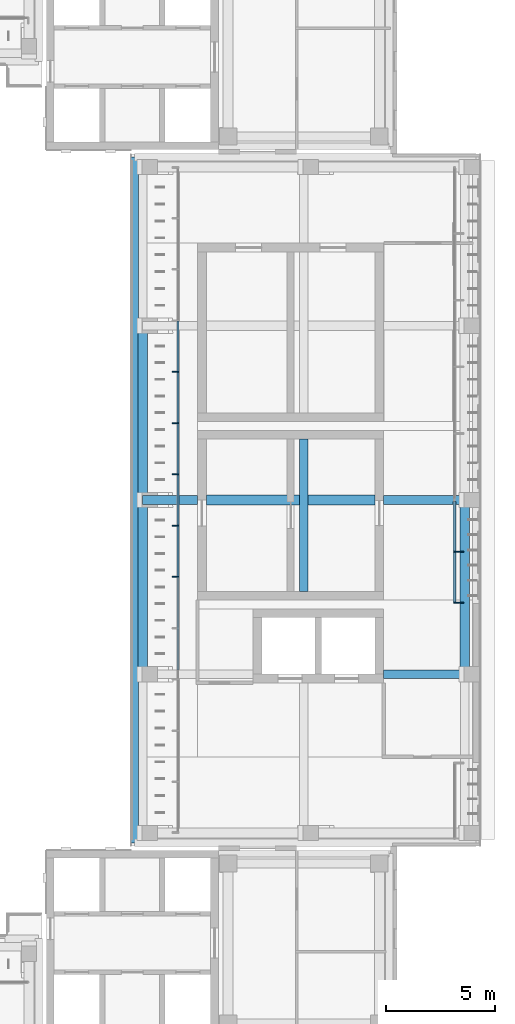
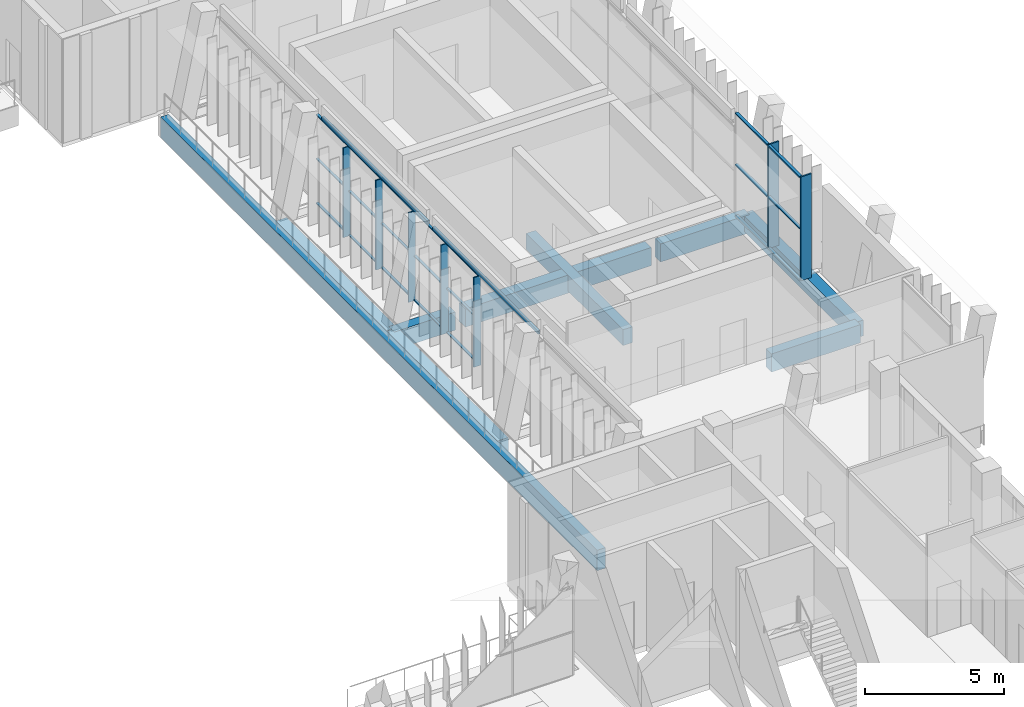
# One storey, part 31 of 74: 28 members, 11 beams, 2 elements without a shape of their own.
"""IFC4 building model written with IfcOpenShell, lengths in metres."""

from ifc_helpers import new_model, si_unit, direction, frame, origin, origin_2d, place, context, subcontext, project, spatial, rectangle, hollow_rectangle, extrude, material, material_profile, profile_set, type_object, element, aggregate, save


model = new_model("IFC4")

# Units and contexts
model_context = context("Model", 3, precision=1e-05, world=origin(), true_north=direction((0.0, 1.0)))
body_context = subcontext(model_context, "Body", "Model", "MODEL_VIEW")
ifc_project = project(units=[si_unit("LENGTHUNIT", "METRE"), si_unit("AREAUNIT", "SQUARE_METRE"), si_unit("VOLUMEUNIT", "CUBIC_METRE"), si_unit("PLANEANGLEUNIT", "RADIAN"), si_unit("MASSUNIT", "GRAM", prefix="KILO")], contexts=[model_context])

# Site, building, storey
site_placement = place(None, origin())
site = spatial("IfcSite", under=ifc_project, at=site_placement, CompositionType="ELEMENT")
building_placement = place(site_placement, origin())
building = spatial("IfcBuilding", under=site, at=building_placement, Name="Lantern Court Media Centre", CompositionType="ELEMENT")
storey_placement = place(building_placement, frame((0.0, 0.0, 19.199951171875)))
storey = spatial("IfcBuildingStorey", under=building, at=storey_placement, Name="L04", CompositionType="ELEMENT", Elevation=19.199951171875)

# Curtain wall, members
ifc_material_1 = material(Name="Curtain wall bay 2400")
curtain_wall_type_1 = type_object("IfcCurtainWallType", Name="Curtain wall bay 2400", PredefinedType="NOTDEFINED", material=ifc_material_1)
curtain_wall_1_placement = place(storey_placement, origin())
curtain_wall_1 = element("IfcCurtainWall", 1, at=curtain_wall_1_placement, inside=storey, type_object=curtain_wall_type_1, Name="Curtain wall E inner L04", PredefinedType="NOTDEFINED")
ifc_material_2 = material(Name="Anodised aluminium", Category="aluminium")
ifc_material_profile_1 = material_profile(ifc_material_2, rectangle(XDim=0.300048828125, YDim=0.050048828125, at=origin_2d()), Name="AL 50x300")
ifc_profile_set_1 = profile_set([ifc_material_profile_1], Name="Anodised aluminium")
member_type_1 = type_object("IfcMemberType", Name="Curtain wall mullion 50x300", PredefinedType="MULLION", material=ifc_profile_set_1)
member_1_placement = place(storey_placement, frame((86.030029296875, 76.46923828125, 0.0), z_axis=(0.0, 0.0, 1.0), x_axis=(-1.0, 0.0, 0.0)))
member_1 = element("IfcMember", 2, at=member_1_placement, type_object=member_type_1, Name="CW2 mullion 6", PredefinedType="MULLION", context=body_context, shape_type="SweptSolid", body=[
    extrude(rectangle(XDim=0.300048828125, YDim=0.050048828125, at=origin_2d()), origin(), (0.0, 0.0, 1.0), 3.949951171875),
])
member_2_placement = place(storey_placement, frame((86.030029296875, 78.822998046875, 0.0), z_axis=(0.0, 0.0, 1.0), x_axis=(-1.0, 0.0, 0.0)))
member_2 = element("IfcMember", 3, at=member_2_placement, type_object=member_type_1, Name="CW2 mullion 7", PredefinedType="MULLION", context=body_context, shape_type="SweptSolid", body=[
    extrude(rectangle(XDim=0.300048828125, YDim=0.050048828125, at=origin_2d()), origin(), (0.0, 0.0, 1.0), 3.949951171875),
])
member_3_placement = place(storey_placement, frame((86.030029296875, 81.177001953125, 0.0), z_axis=(0.0, 0.0, 1.0), x_axis=(-1.0, 0.0, 0.0)))
member_3 = element("IfcMember", 4, at=member_3_placement, type_object=member_type_1, Name="CW2 mullion 8", PredefinedType="MULLION", context=body_context, shape_type="SweptSolid", body=[
    extrude(rectangle(XDim=0.300048828125, YDim=0.050048828125, at=origin_2d()), origin(), (0.0, 0.0, 1.0), 3.949951171875),
])
member_4_placement = place(storey_placement, frame((86.030029296875, 83.53076171875, 0.0), z_axis=(0.0, 0.0, 1.0), x_axis=(-1.0, 0.0, 0.0)))
member_4 = element("IfcMember", 5, at=member_4_placement, type_object=member_type_1, Name="CW2 mullion 9", PredefinedType="MULLION", context=body_context, shape_type="SweptSolid", body=[
    extrude(rectangle(XDim=0.300048828125, YDim=0.050048828125, at=origin_2d()), origin(), (0.0, 0.0, 1.0), 3.949951171875),
])
member_5_placement = place(storey_placement, frame((86.030029296875, 85.884521484375, 0.0), z_axis=(0.0, 0.0, 1.0), x_axis=(-1.0, 0.0, 0.0)))
member_5 = element("IfcMember", 6, at=member_5_placement, type_object=member_type_1, Name="CW2 mullion 10", PredefinedType="MULLION", context=body_context, shape_type="SweptSolid", body=[
    extrude(rectangle(XDim=0.300048828125, YDim=0.050048828125, at=origin_2d()), origin(), (0.0, 0.0, 1.0), 3.949951171875),
])

ifc_material_3 = material(Name="Curtain wall bay 3000")
curtain_wall_type_2 = type_object("IfcCurtainWallType", Name="Curtain wall bay 3000", PredefinedType="NOTDEFINED", material=ifc_material_3)
curtain_wall_2_placement = place(storey_placement, origin())
curtain_wall_2 = element("IfcCurtainWall", 7, at=curtain_wall_2_placement, inside=storey, type_object=curtain_wall_type_2, Name="Curtain wall E outer L04", PredefinedType="NOTDEFINED")
ifc_material_profile_2 = material_profile(ifc_material_2, rectangle(XDim=0.449951171875, YDim=0.06005859375, at=origin_2d()), Name="AL 60x450")
ifc_profile_set_2 = profile_set([ifc_material_profile_2], Name="Anodised aluminium")
member_type_2 = type_object("IfcMemberType", Name="Curtain wall mullion 60x450", PredefinedType="MULLION", material=ifc_profile_set_2)
member_6_placement = place(storey_placement, frame((99.044921875, 75.280029296875, 0.0), z_axis=(0.0, 0.0, 1.0), x_axis=(-1.0, 0.0, 0.0)))
member_6 = element("IfcMember", 8, at=member_6_placement, type_object=member_type_2, Name="CW1 mullion 1", PredefinedType="MULLION", context=body_context, shape_type="SweptSolid", body=[
    extrude(rectangle(XDim=0.449951171875, YDim=0.06005859375, at=origin_2d()), origin(), (0.0, 0.0, 1.0), 4.580078125),
])
member_7_placement = place(storey_placement, frame((99.044921875, 77.625, 0.0), z_axis=(0.0, 0.0, 1.0), x_axis=(-1.0, 0.0, 0.0)))
member_7 = element("IfcMember", 9, at=member_7_placement, type_object=member_type_2, Name="CW1 mullion 2", PredefinedType="MULLION", context=body_context, shape_type="SweptSolid", body=[
    extrude(rectangle(XDim=0.449951171875, YDim=0.06005859375, at=origin_2d()), origin(), (0.0, 0.0, 1.0), 4.580078125),
])

# Member
ifc_material_profile_3 = material_profile(ifc_material_2, rectangle(XDim=0.10009765625, YDim=0.050048828125, at=origin_2d()), Name="AL 50x100")
ifc_profile_set_3 = profile_set([ifc_material_profile_3], Name="Anodised aluminium")
member_type_3 = type_object("IfcMemberType", Name="Curtain wall transom 100x50", PredefinedType="USERDEFINED", material=ifc_profile_set_3)
member_8_placement = place(storey_placement, frame((86.14990234375, 76.494140625, 0.025146484375), z_axis=(0.0, 1.0, 0.0), x_axis=(-1.0, 0.0, 0.0)))
member_8 = element("IfcMember", 10, at=member_8_placement, type_object=member_type_3, Name="CW2 transom 6.1", ObjectType="TRANSOM", PredefinedType="USERDEFINED", context=body_context, shape_type="SweptSolid", body=[
    extrude(rectangle(XDim=0.10009765625, YDim=0.050048828125, at=origin_2d()), origin(), (0.0, 0.0, 1.0), 2.303955078125),
])

member_9_placement = place(storey_placement, frame((86.14990234375, 76.494140625, 1.97509765625), z_axis=(0.0, 1.0, 0.0), x_axis=(-1.0, 0.0, 0.0)))
member_9 = element("IfcMember", 11, at=member_9_placement, type_object=member_type_3, Name="CW2 transom 6.2", ObjectType="TRANSOM", PredefinedType="USERDEFINED", context=body_context, shape_type="SweptSolid", body=[
    extrude(rectangle(XDim=0.10009765625, YDim=0.050048828125, at=origin_2d()), origin(), (0.0, 0.0, 1.0), 2.303955078125),
])

member_10_placement = place(storey_placement, frame((86.14990234375, 76.494140625, 3.925048828125), z_axis=(0.0, 1.0, 0.0), x_axis=(-1.0, 0.0, 0.0)))
member_10 = element("IfcMember", 12, at=member_10_placement, type_object=member_type_3, Name="CW2 transom 6.3", ObjectType="TRANSOM", PredefinedType="USERDEFINED", context=body_context, shape_type="SweptSolid", body=[
    extrude(rectangle(XDim=0.10009765625, YDim=0.050048828125, at=origin_2d()), origin(), (0.0, 0.0, 1.0), 2.303955078125),
])

member_11_placement = place(storey_placement, frame((86.14990234375, 78.84814453125, 0.025146484375), z_axis=(0.0, 1.0, 0.0), x_axis=(-1.0, 0.0, 0.0)))
member_11 = element("IfcMember", 13, at=member_11_placement, type_object=member_type_3, Name="CW2 transom 7.1", ObjectType="TRANSOM", PredefinedType="USERDEFINED", context=body_context, shape_type="SweptSolid", body=[
    extrude(rectangle(XDim=0.10009765625, YDim=0.050048828125, at=origin_2d()), origin(), (0.0, 0.0, 1.0), 2.3037109375),
])

member_12_placement = place(storey_placement, frame((86.14990234375, 78.84814453125, 1.97509765625), z_axis=(0.0, 1.0, 0.0), x_axis=(-1.0, 0.0, 0.0)))
member_12 = element("IfcMember", 14, at=member_12_placement, type_object=member_type_3, Name="CW2 transom 7.2", ObjectType="TRANSOM", PredefinedType="USERDEFINED", context=body_context, shape_type="SweptSolid", body=[
    extrude(rectangle(XDim=0.10009765625, YDim=0.050048828125, at=origin_2d()), origin(), (0.0, 0.0, 1.0), 2.3037109375),
])

member_13_placement = place(storey_placement, frame((86.14990234375, 78.84814453125, 3.925048828125), z_axis=(0.0, 1.0, 0.0), x_axis=(-1.0, 0.0, 0.0)))
member_13 = element("IfcMember", 15, at=member_13_placement, type_object=member_type_3, Name="CW2 transom 7.3", ObjectType="TRANSOM", PredefinedType="USERDEFINED", context=body_context, shape_type="SweptSolid", body=[
    extrude(rectangle(XDim=0.10009765625, YDim=0.050048828125, at=origin_2d()), origin(), (0.0, 0.0, 1.0), 2.3037109375),
])

member_14_placement = place(storey_placement, frame((86.14990234375, 81.201904296875, 0.025146484375), z_axis=(0.0, 1.0, 0.0), x_axis=(-1.0, 0.0, 0.0)))
member_14 = element("IfcMember", 16, at=member_14_placement, type_object=member_type_3, Name="CW2 transom 8.1", ObjectType="TRANSOM", PredefinedType="USERDEFINED", context=body_context, shape_type="SweptSolid", body=[
    extrude(rectangle(XDim=0.10009765625, YDim=0.050048828125, at=origin_2d()), origin(), (0.0, 0.0, 1.0), 2.303955078125),
])

member_15_placement = place(storey_placement, frame((86.14990234375, 81.201904296875, 1.97509765625), z_axis=(0.0, 1.0, 0.0), x_axis=(-1.0, 0.0, 0.0)))
member_15 = element("IfcMember", 17, at=member_15_placement, type_object=member_type_3, Name="CW2 transom 8.2", ObjectType="TRANSOM", PredefinedType="USERDEFINED", context=body_context, shape_type="SweptSolid", body=[
    extrude(rectangle(XDim=0.10009765625, YDim=0.050048828125, at=origin_2d()), origin(), (0.0, 0.0, 1.0), 2.303955078125),
])

member_16_placement = place(storey_placement, frame((86.14990234375, 81.201904296875, 3.925048828125), z_axis=(0.0, 1.0, 0.0), x_axis=(-1.0, 0.0, 0.0)))
member_16 = element("IfcMember", 18, at=member_16_placement, type_object=member_type_3, Name="CW2 transom 8.3", ObjectType="TRANSOM", PredefinedType="USERDEFINED", context=body_context, shape_type="SweptSolid", body=[
    extrude(rectangle(XDim=0.10009765625, YDim=0.050048828125, at=origin_2d()), origin(), (0.0, 0.0, 1.0), 2.303955078125),
])

member_17_placement = place(storey_placement, frame((86.14990234375, 83.5556640625, 0.025146484375), z_axis=(0.0, 1.0, 0.0), x_axis=(-1.0, 0.0, 0.0)))
member_17 = element("IfcMember", 19, at=member_17_placement, type_object=member_type_3, Name="CW2 transom 9.1", ObjectType="TRANSOM", PredefinedType="USERDEFINED", context=body_context, shape_type="SweptSolid", body=[
    extrude(rectangle(XDim=0.10009765625, YDim=0.050048828125, at=origin_2d()), origin(), (0.0, 0.0, 1.0), 2.303955078125),
])

member_18_placement = place(storey_placement, frame((86.14990234375, 83.5556640625, 1.97509765625), z_axis=(0.0, 1.0, 0.0), x_axis=(-1.0, 0.0, 0.0)))
member_18 = element("IfcMember", 20, at=member_18_placement, type_object=member_type_3, Name="CW2 transom 9.2", ObjectType="TRANSOM", PredefinedType="USERDEFINED", context=body_context, shape_type="SweptSolid", body=[
    extrude(rectangle(XDim=0.10009765625, YDim=0.050048828125, at=origin_2d()), origin(), (0.0, 0.0, 1.0), 2.303955078125),
])

member_19_placement = place(storey_placement, frame((86.14990234375, 83.5556640625, 3.925048828125), z_axis=(0.0, 1.0, 0.0), x_axis=(-1.0, 0.0, 0.0)))
member_19 = element("IfcMember", 21, at=member_19_placement, type_object=member_type_3, Name="CW2 transom 9.3", ObjectType="TRANSOM", PredefinedType="USERDEFINED", context=body_context, shape_type="SweptSolid", body=[
    extrude(rectangle(XDim=0.10009765625, YDim=0.050048828125, at=origin_2d()), origin(), (0.0, 0.0, 1.0), 2.303955078125),
])

member_20_placement = place(storey_placement, frame((86.14990234375, 85.90966796875, 0.025146484375), z_axis=(0.0, 1.0, 0.0), x_axis=(-1.0, 0.0, 0.0)))
member_20 = element("IfcMember", 22, at=member_20_placement, type_object=member_type_3, Name="CW2 transom 10.1", ObjectType="TRANSOM", PredefinedType="USERDEFINED", context=body_context, shape_type="SweptSolid", body=[
    extrude(rectangle(XDim=0.10009765625, YDim=0.050048828125, at=origin_2d()), origin(), (0.0, 0.0, 1.0), 2.3037109375),
])

member_21_placement = place(storey_placement, frame((86.14990234375, 85.90966796875, 1.97509765625), z_axis=(0.0, 1.0, 0.0), x_axis=(-1.0, 0.0, 0.0)))
member_21 = element("IfcMember", 23, at=member_21_placement, type_object=member_type_3, Name="CW2 transom 10.2", ObjectType="TRANSOM", PredefinedType="USERDEFINED", context=body_context, shape_type="SweptSolid", body=[
    extrude(rectangle(XDim=0.10009765625, YDim=0.050048828125, at=origin_2d()), origin(), (0.0, 0.0, 1.0), 2.3037109375),
])

member_22_placement = place(storey_placement, frame((86.14990234375, 85.90966796875, 3.925048828125), z_axis=(0.0, 1.0, 0.0), x_axis=(-1.0, 0.0, 0.0)))
member_22 = element("IfcMember", 24, at=member_22_placement, type_object=member_type_3, Name="CW2 transom 10.3", ObjectType="TRANSOM", PredefinedType="USERDEFINED", context=body_context, shape_type="SweptSolid", body=[
    extrude(rectangle(XDim=0.10009765625, YDim=0.050048828125, at=origin_2d()), origin(), (0.0, 0.0, 1.0), 2.3037109375),
])

aggregate(curtain_wall_1, [member_1, member_2, member_3, member_4, member_5, member_8, member_9, member_10, member_11, member_12, member_13, member_14, member_15, member_16, member_17, member_18, member_19, member_20, member_21, member_22])

ifc_material_profile_4 = material_profile(ifc_material_2, rectangle(XDim=0.1201171875, YDim=0.06005859375, at=origin_2d()), Name="AL 60x120")
ifc_profile_set_4 = profile_set([ifc_material_profile_4], Name="Anodised aluminium")
member_type_4 = type_object("IfcMemberType", Name="Curtain wall transom 60x120", PredefinedType="USERDEFINED", material=ifc_profile_set_4)
member_23_placement = place(storey_placement, frame((98.85009765625, 75.31005859375, 0.030029296875), z_axis=(0.0, 1.0, 0.0), x_axis=(-1.0, 0.0, 0.0)))
member_23 = element("IfcMember", 25, at=member_23_placement, type_object=member_type_4, Name="CW1 transom 1.1", ObjectType="TRANSOM", PredefinedType="USERDEFINED", context=body_context, shape_type="SweptSolid", body=[
    extrude(rectangle(XDim=0.1201171875, YDim=0.06005859375, at=origin_2d()), origin(), (0.0, 0.0, 1.0), 2.284912109375),
])

member_24_placement = place(storey_placement, frame((98.85009765625, 75.31005859375, 2.2900390625), z_axis=(0.0, 1.0, 0.0), x_axis=(-1.0, 0.0, 0.0)))
member_24 = element("IfcMember", 26, at=member_24_placement, type_object=member_type_4, Name="CW1 transom 1.2", ObjectType="TRANSOM", PredefinedType="USERDEFINED", context=body_context, shape_type="SweptSolid", body=[
    extrude(rectangle(XDim=0.1201171875, YDim=0.06005859375, at=origin_2d()), origin(), (0.0, 0.0, 1.0), 2.284912109375),
])

member_25_placement = place(storey_placement, frame((98.85009765625, 75.31005859375, 4.550048828125), z_axis=(0.0, 1.0, 0.0), x_axis=(-1.0, 0.0, 0.0)))
member_25 = element("IfcMember", 27, at=member_25_placement, type_object=member_type_4, Name="CW1 transom 1.3", ObjectType="TRANSOM", PredefinedType="USERDEFINED", context=body_context, shape_type="SweptSolid", body=[
    extrude(rectangle(XDim=0.1201171875, YDim=0.06005859375, at=origin_2d()), origin(), (0.0, 0.0, 1.0), 2.284912109375),
])

member_26_placement = place(storey_placement, frame((98.85009765625, 77.655029296875, 0.030029296875), z_axis=(0.0, 1.0, 0.0), x_axis=(-1.0, 0.0, 0.0)))
member_26 = element("IfcMember", 28, at=member_26_placement, type_object=member_type_4, Name="CW1 transom 2.1", ObjectType="TRANSOM", PredefinedType="USERDEFINED", context=body_context, shape_type="SweptSolid", body=[
    extrude(rectangle(XDim=0.1201171875, YDim=0.06005859375, at=origin_2d()), origin(), (0.0, 0.0, 1.0), 2.284912109375),
])

member_27_placement = place(storey_placement, frame((98.85009765625, 77.655029296875, 2.2900390625), z_axis=(0.0, 1.0, 0.0), x_axis=(-1.0, 0.0, 0.0)))
member_27 = element("IfcMember", 29, at=member_27_placement, type_object=member_type_4, Name="CW1 transom 2.2", ObjectType="TRANSOM", PredefinedType="USERDEFINED", context=body_context, shape_type="SweptSolid", body=[
    extrude(rectangle(XDim=0.1201171875, YDim=0.06005859375, at=origin_2d()), origin(), (0.0, 0.0, 1.0), 2.284912109375),
])

member_28_placement = place(storey_placement, frame((98.85009765625, 77.655029296875, 4.550048828125), z_axis=(0.0, 1.0, 0.0), x_axis=(-1.0, 0.0, 0.0)))
member_28 = element("IfcMember", 30, at=member_28_placement, type_object=member_type_4, Name="CW1 transom 2.3", ObjectType="TRANSOM", PredefinedType="USERDEFINED", context=body_context, shape_type="SweptSolid", body=[
    extrude(rectangle(XDim=0.1201171875, YDim=0.06005859375, at=origin_2d()), origin(), (0.0, 0.0, 1.0), 2.284912109375),
])

aggregate(curtain_wall_2, [member_6, member_7, member_23, member_24, member_25, member_26, member_27, member_28])

# Beams
ifc_material_4 = material(Name="Steel S355J2 (EN 10025-2)", Category="steel")
ifc_material_profile_5 = material_profile(ifc_material_4, hollow_rectangle(XDim=0.10009765625, YDim=0.14990234375, WallThickness=0.00634765625, InnerFilletRadius=0.00634765625, OuterFilletRadius=0.009521484375, at=origin_2d()), Name="Facade head lintel RHS 150x100x6.3")
ifc_profile_set_5 = profile_set([ifc_material_profile_5], Name="Steel S355J2 (EN 10025-2)")
beam_type_1 = type_object("IfcBeamType", Name="Facade head lintel RHS 150x100x6.3", PredefinedType="BEAM", material=ifc_profile_set_5)
for number, where, z_axis, x_axis, name in (
    (31, (86.14990234375, 72.199951171875, 4.025146484375), (0.0, 1.0, 0.0), (-1.0, 0.0, 0.0), "Facade head lintel E L04"),
    (32, (86.14990234375, 80.199951171875, 4.025146484375), (0.0, 1.0, 0.0), (-1.0, 0.0, 0.0), "Facade head lintel E L04"),
):
    element("IfcBeam", number, at=place(storey_placement, frame(where, z_axis=z_axis, x_axis=x_axis)), inside=storey, type_object=beam_type_1, Name=name, PredefinedType="BEAM", context=body_context, shape_type="SweptSolid", body=[
        extrude(hollow_rectangle(XDim=0.10009765625, YDim=0.14990234375, WallThickness=0.00634765625, InnerFilletRadius=0.00634765625, OuterFilletRadius=0.009521484375, at=origin_2d()), origin(), (0.0, 0.0, 1.0), 7.60009765625),
    ])
ifc_material_5 = material(Name="Concrete C35", Category="concrete")
ifc_material_profile_6 = material_profile(ifc_material_5, rectangle(XDim=0.35009765625, YDim=0.89990234375, at=origin_2d()), Name="RC 350x900")
ifc_profile_set_6 = profile_set([ifc_material_profile_6], Name="Concrete C35")
beam_type_2 = type_object("IfcBeamType", Name="RC BEAM 350x900", PredefinedType="BEAM", material=ifc_profile_set_6)
beam_1_placement = place(storey_placement, frame((84.14990234375, 64.25, -0.449951171875), z_axis=(0.0, 1.0, 0.0), x_axis=(-1.0, 0.0, 0.0)))
element("IfcBeam", 33, at=beam_1_placement, inside=storey, type_object=beam_type_2, Name="EB-E-L04-A", PredefinedType="BEAM", context=body_context, shape_type="SweptSolid", body=[
    extrude(rectangle(XDim=0.35009765625, YDim=0.89990234375, at=origin_2d()), origin(), (0.0, 0.0, 1.0), 31.5),
])
ifc_material_profile_7 = material_profile(ifc_material_5, rectangle(XDim=0.39990234375, YDim=0.699951171875, at=origin_2d()), Name="RC 400x700")
ifc_profile_set_7 = profile_set([ifc_material_profile_7], Name="Concrete C35")
beam_type_3 = type_object("IfcBeamType", Name="RC BEAM 400x700", PredefinedType="BEAM", material=ifc_profile_set_7)
beam_2_placement = place(storey_placement, frame((91.927001953125, 75.800048828125, -0.349853515625), z_axis=(0.0, 1.0, 0.0), x_axis=(-1.0, 0.0, 0.0)))
element("IfcBeam", 34, at=beam_2_placement, inside=storey, type_object=beam_type_3, Name="LB-E-L04-1-01", PredefinedType="BEAM", context=body_context, shape_type="SweptSolid", body=[
    extrude(rectangle(XDim=0.39990234375, YDim=0.699951171875, at=origin_2d()), origin(), (0.0, 0.0, 1.0), 7.0),
])
ifc_material_profile_8 = material_profile(ifc_material_5, rectangle(XDim=0.39990234375, YDim=0.800048828125, at=origin_2d()), Name="RC 400x800")
ifc_profile_set_8 = profile_set([ifc_material_profile_8], Name="Concrete C35")
beam_type_4 = type_object("IfcBeamType", Name="RC BEAM 400x800", PredefinedType="BEAM", material=ifc_profile_set_8)
beam_3_placement = place(storey_placement, frame((95.60009765625, 72.0, -0.39990234375), z_axis=(1.0, 0.0, 0.0), x_axis=(0.0, 1.0, 0.0)))
element("IfcBeam", 35, at=beam_3_placement, inside=storey, type_object=beam_type_4, Name="TB-E-L04-1-11", PredefinedType="BEAM", context=body_context, shape_type="SweptSolid", body=[
    extrude(rectangle(XDim=0.39990234375, YDim=0.800048828125, at=origin_2d()), origin(), (0.0, 0.0, 1.0), 3.716552734375),
])
beam_4_placement = place(storey_placement, frame((84.5166015625, 80.0, -0.39990234375), z_axis=(1.0, 0.0, 0.0), x_axis=(0.0, 1.0, 0.0)))
element("IfcBeam", 36, at=beam_4_placement, inside=storey, type_object=beam_type_4, Name="TB-E-L04-2-1", PredefinedType="BEAM", context=body_context, shape_type="SweptSolid", body=[
    extrude(rectangle(XDim=0.39990234375, YDim=0.800048828125, at=origin_2d()), origin(), (0.0, 0.0, 1.0), 2.533447265625),
])
beam_5_placement = place(storey_placement, frame((95.60009765625, 80.0, -0.39990234375), z_axis=(1.0, 0.0, 0.0), x_axis=(0.0, 1.0, 0.0)))
element("IfcBeam", 37, at=beam_5_placement, inside=storey, type_object=beam_type_4, Name="TB-E-L04-2-12", PredefinedType="BEAM", context=body_context, shape_type="SweptSolid", body=[
    extrude(rectangle(XDim=0.39990234375, YDim=0.800048828125, at=origin_2d()), origin(), (0.0, 0.0, 1.0), 3.716552734375),
])
ifc_material_profile_9 = material_profile(ifc_material_5, rectangle(XDim=0.449951171875, YDim=0.699951171875, at=origin_2d()), Name="RC 450x700")
ifc_profile_set_9 = profile_set([ifc_material_profile_9], Name="Concrete C35")
beam_type_5 = type_object("IfcBeamType", Name="RC BEAM 450x700", PredefinedType="BEAM", material=ifc_profile_set_9)
for number, where, z_axis, x_axis, name in (
    (38, (84.527099609375, 72.0, -0.349853515625), (0.0, 1.0, 0.0), (-1.0, 0.0, 0.0), "LB-E-L04-0-1"),
    (39, (84.527099609375, 80.0, -0.349853515625), (0.0, 1.0, 0.0), (-1.0, 0.0, 0.0), "LB-E-L04-0-2"),
    (40, (99.3271484375, 72.0, -0.349853515625), (0.0, 1.0, 0.0), (-1.0, 0.0, 0.0), "LB-E-L04-2-1"),
):
    element("IfcBeam", number, at=place(storey_placement, frame(where, z_axis=z_axis, x_axis=x_axis)), inside=storey, type_object=beam_type_5, Name=name, PredefinedType="BEAM", context=body_context, shape_type="SweptSolid", body=[
        extrude(rectangle(XDim=0.449951171875, YDim=0.699951171875, at=origin_2d()), origin(), (0.0, 0.0, 1.0), 8.0),
    ])
ifc_material_profile_10 = material_profile(ifc_material_5, rectangle(XDim=0.449951171875, YDim=0.800048828125, at=origin_2d()), Name="RC 450x800")
ifc_profile_set_10 = profile_set([ifc_material_profile_10], Name="Concrete C35")
beam_type_6 = type_object("IfcBeamType", Name="RC BEAM 450x800", PredefinedType="BEAM", material=ifc_profile_set_10)
beam_6_placement = place(storey_placement, frame((87.449951171875, 80.0, -0.39990234375), z_axis=(1.0, 0.0, 0.0), x_axis=(0.0, 1.0, 0.0)))
element("IfcBeam", 41, at=beam_6_placement, inside=storey, type_object=beam_type_6, Name="TB-E-L04-2-11", PredefinedType="BEAM", context=body_context, shape_type="SweptSolid", body=[
    extrude(rectangle(XDim=0.449951171875, YDim=0.800048828125, at=origin_2d()), origin(), (0.0, 0.0, 1.0), 7.75),
])

save(model, "model.ifc")
